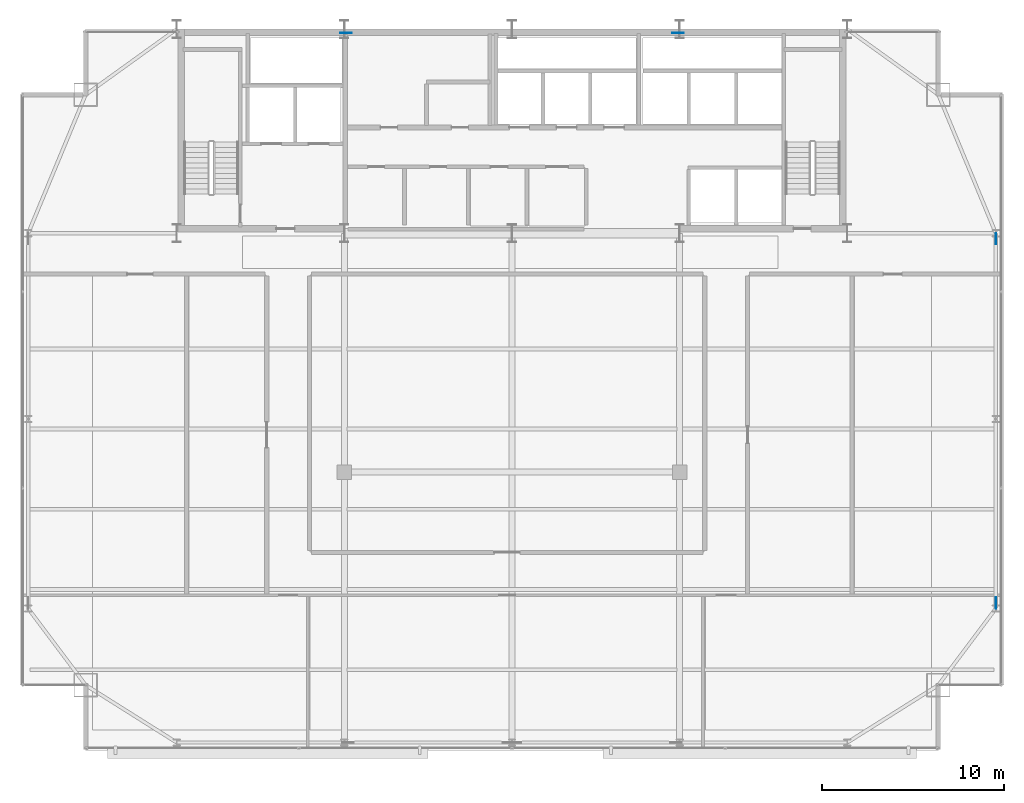
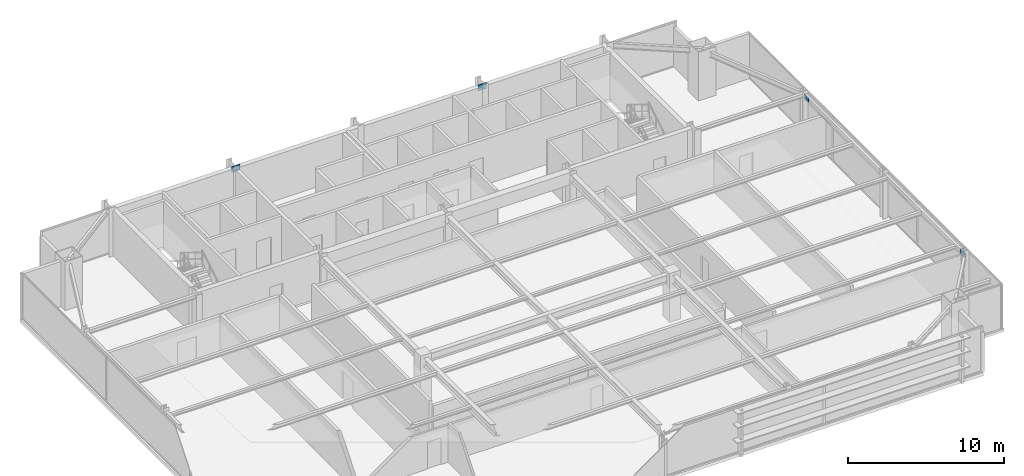
# One storey, part 24 of 29: 4 plates.
"""IFC4 building model written with IfcOpenShell, lengths in metres."""

from ifc_helpers import new_model, si_unit, direction, frame, origin, origin_2d, place, context, subcontext, project, spatial, rectangle, extrude, source, transform, mapped, material, layer, layer_set, type_object, type_shapes, element, save


model = new_model("IFC4")

# Units and contexts
model_context = context("Model", 3, precision=1e-05, world=origin(), true_north=direction((0.0, 1.0)))
body_context = subcontext(model_context, "Body", "Model", "MODEL_VIEW")
ifc_project = project(units=[si_unit("LENGTHUNIT", "METRE"), si_unit("AREAUNIT", "SQUARE_METRE"), si_unit("VOLUMEUNIT", "CUBIC_METRE"), si_unit("PLANEANGLEUNIT", "RADIAN"), si_unit("MASSUNIT", "GRAM", prefix="KILO")], contexts=[model_context])

# Site, building, storey
site_placement = place(None, origin())
site = spatial("IfcSite", under=ifc_project, at=site_placement, CompositionType="ELEMENT")
building_placement = place(site_placement, origin())
building = spatial("IfcBuilding", under=site, at=building_placement, Name="Varnel Quay Broadcast Tower", CompositionType="ELEMENT")
storey_placement = place(building_placement, frame((0.0, 0.0, 172.39990234375)))
storey = spatial("IfcBuildingStorey", under=building, at=storey_placement, Name="L42", CompositionType="ELEMENT", Elevation=172.39990234375)

# Plates
ifc_material = material(Name="Structural Steel CSA G40.21 350WT", Category="steel")
ifc_layer_1 = layer(ifc_material, 0.0400390625, Name="Structural Steel CSA G40.21 350WT")
ifc_layer_set_1 = layer_set([ifc_layer_1], Name="Structural Steel CSA G40.21 350WT")
plate_type_1 = type_object("IfcPlateType", Name="Plate_EmbedPlate", PredefinedType="USERDEFINED", material=ifc_layer_set_1)
shared_shape_1 = source(origin(), body_context, "Body", "SweptSolid", [
    extrude(rectangle(XDim=0.639892578125, YDim=0.0400390625, at=origin_2d()), origin(), (0.0, 0.0, 1.0), 0.449951171875),
])
type_shapes(plate_type_1, [shared_shape_1])
for number, where, z_axis, x_axis, name in (
    (1, (43.106689453125, 46.580078125, 3.2294921875), (0.0, 0.0, 1.0), (1.0, 0.0, 0.0), "Zone 3 Mega-Brace N-CT2 Diag A Wall Cast-In Embed Plate P1"),
    (2, (24.893310546875, 46.580078125, 3.2294921875), (0.0, 0.0, 1.0), (1.0, 0.0, 0.0), "Zone 3 Mega-Brace N-CT2 Diag B2 Wall Cast-In Embed Plate P1"),
):
    element("IfcPlate", number, at=place(storey_placement, frame(where, z_axis=z_axis, x_axis=x_axis)), inside=storey, type_object=plate_type_1, Name=name, ObjectType="EMBED_PLATE", PredefinedType="USERDEFINED", context=body_context, shape_type="MappedRepresentation", body=[
        mapped(shared_shape_1, transform((0.0, 0.0, 0.0), x_axis=(1.0, 0.0, 0.0), y_axis=(0.0, 1.0, 0.0), z_axis=(0.0, 0.0, 1.0), scale=1.0)),
    ])
ifc_layer_2 = layer(ifc_material, 0.031982421875, Name="Structural Steel CSA G40.21 350WT")
ifc_layer_set_2 = layer_set([ifc_layer_2], Name="Structural Steel CSA G40.21 350WT")
plate_type_2 = type_object("IfcPlateType", Name="Plate_EndCap", PredefinedType="USERDEFINED", material=ifc_layer_set_2)
shared_shape_2 = source(origin(), body_context, "Body", "SweptSolid", [
    extrude(rectangle(XDim=0.6201171875, YDim=0.031982421875, at=origin_2d()), origin(), (0.0, 0.0, 1.0), 0.3798828125),
])
type_shapes(plate_type_2, [shared_shape_2])
for number, where, z_axis, x_axis, name in (
    (3, (60.550048828125, 35.292236328125, 3.117431640625), (0.0, 0.0, 1.0), (0.0, 1.0, 0.0), "Zone 3 Mega-Brace E-FT2 Diag A End Connection Plate P1"),
    (4, (60.550048828125, 15.307861328125, 3.117431640625), (0.0, 0.0, 1.0), (0.0, 1.0, 0.0), "Zone 3 Mega-Brace E-FT2 Diag B2 End Connection Plate P1"),
):
    element("IfcPlate", number, at=place(storey_placement, frame(where, z_axis=z_axis, x_axis=x_axis)), inside=storey, type_object=plate_type_2, Name=name, ObjectType="CAP_PLATE", PredefinedType="USERDEFINED", context=body_context, shape_type="MappedRepresentation", body=[
        mapped(shared_shape_2, transform((0.0, 0.0, 0.0), x_axis=(1.0, 0.0, 0.0), y_axis=(0.0, 1.0, 0.0), z_axis=(0.0, 0.0, 1.0), scale=1.0)),
    ])

save(model, "model.ifc")
